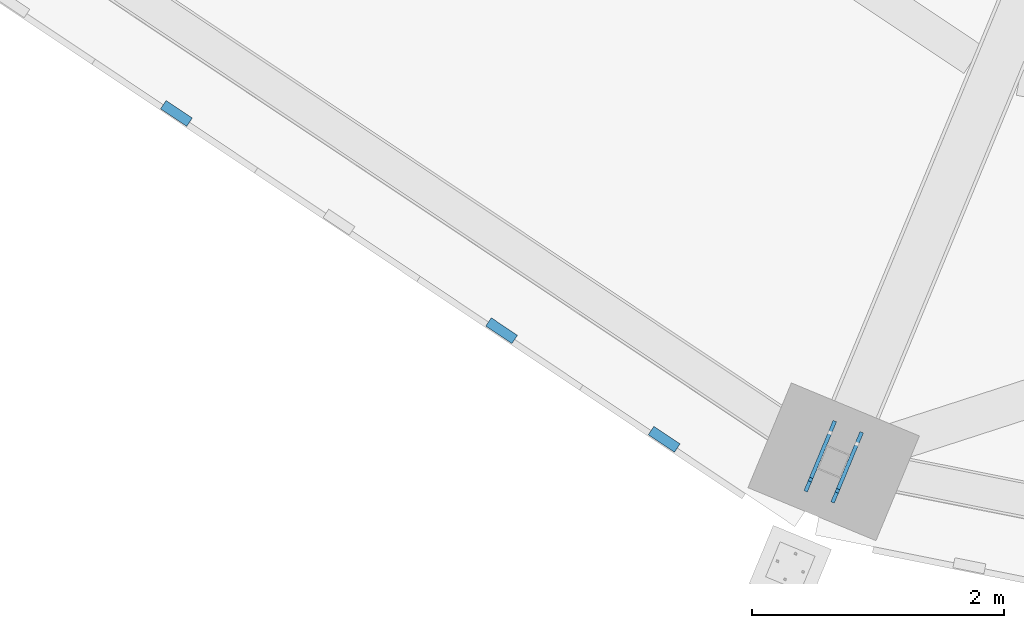
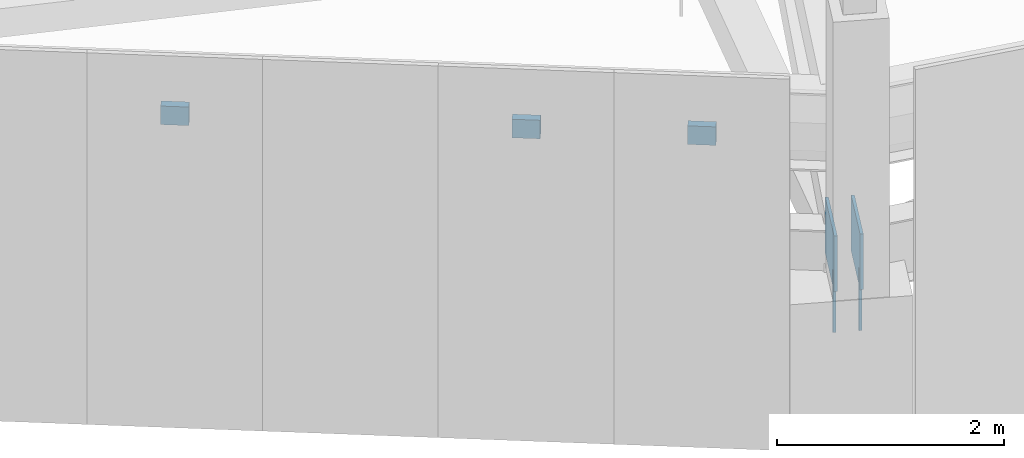
# One storey, part 110 of 278: 5 discrete accessories, 2 mechanical fasteners.
"""IFC4 building model written with IfcOpenShell, lengths in metres."""

from ifc_helpers import new_model, si_unit, direction, frame, origin, origin_2d, place, context, subcontext, project, spatial, rectangle, extrude, material, layer, layer_set, type_object, element, save


model = new_model("IFC4")

# Units and contexts
model_context = context("Model", 3, precision=1e-05, world=origin(), true_north=direction((0.0, 1.0)))
body_context = subcontext(model_context, "Body", "Model", "MODEL_VIEW")
ifc_project = project(units=[si_unit("LENGTHUNIT", "METRE"), si_unit("AREAUNIT", "SQUARE_METRE"), si_unit("VOLUMEUNIT", "CUBIC_METRE"), si_unit("PLANEANGLEUNIT", "RADIAN"), si_unit("MASSUNIT", "GRAM", prefix="KILO")], contexts=[model_context])

# Site, building, storey
site_placement = place(None, origin())
site = spatial("IfcSite", under=ifc_project, at=site_placement, CompositionType="ELEMENT")
building_placement = place(site_placement, origin())
building = spatial("IfcBuilding", under=site, at=building_placement, Name="Ogive Plaza Stadium", CompositionType="ELEMENT")
storey_placement = place(building_placement, frame((0.0, 0.0, 29.0)))
storey = spatial("IfcBuildingStorey", under=building, at=storey_placement, Name="Roof", CompositionType="ELEMENT", Elevation=29.0)

# Mechanical fasteners
ifc_material_1 = material(Name="Steel ASTM A992 Grade 50", Category="steel")
mechanical_fastener_type = type_object("IfcMechanicalFastenerType", Name="Anchor bolt M30 x 600", PredefinedType="ANCHORBOLT", material=ifc_material_1)
for number, where, z_axis, x_axis, name in (
    (1, (-53.1044921875, -98.924560546875, 3.0), (0.0, 0.0, 1.0), (-0.382683432365, -0.923879532511, 0.0), "ANCHOR BOLT 18 BF 1.1"),
    (2, (-53.318115234375, -98.8359375, 3.0), (0.0, 0.0, 1.0), (-0.382683432365, -0.923879532511, 0.0), "ANCHOR BOLT 18 BF 2.1"),
):
    element("IfcMechanicalFastener", number, at=place(storey_placement, frame(where, z_axis=z_axis, x_axis=x_axis)), inside=storey, type_object=mechanical_fastener_type, Name=name, PredefinedType="ANCHORBOLT", context=body_context, shape_type="SweptSolid", body=[
        extrude(rectangle(XDim=0.030029296875, YDim=0.030029296875, at=origin_2d()), origin(), (0.0, 0.0, 1.0), 0.679931640625),
    ])

# Discrete accessories
ifc_material_2 = material(Name="Steel ASTM A572 Grade 50", Category="steel")
ifc_layer_1 = layer(ifc_material_2, 0.080078125)
ifc_layer_set_1 = layer_set([ifc_layer_1], Name="Steel ASTM A572 Grade 50")
discrete_accessory_type_1 = type_object("IfcDiscreteAccessoryType", Name="Tracery screen bracket 250x200", PredefinedType="BRACKET", material=ifc_layer_set_1)
for number, where, z_axis, x_axis, name in (
    (3, (-54.4794921875, -98.515869140625, 5.25), (0.0, 0.0, 1.0), (-0.831469612303, 0.55557023302, 0.0), "TRACERY SCREEN BRACKET B18 1"),
    (4, (-55.770263671875, -97.653564453125, 5.25), (0.0, 0.0, 1.0), (-0.831469612303, 0.55557023302, 0.0), "TRACERY SCREEN BRACKET B18 2"),
    (5, (-58.351318359375, -95.928955078125, 5.25), (0.0, 0.0, 1.0), (-0.831469612303, 0.55557023302, 0.0), "TRACERY SCREEN BRACKET B18 4"),
):
    element("IfcDiscreteAccessory", number, at=place(storey_placement, frame(where, z_axis=z_axis, x_axis=x_axis)), inside=storey, type_object=discrete_accessory_type_1, Name=name, PredefinedType="BRACKET", context=body_context, shape_type="SweptSolid", body=[
        extrude(rectangle(XDim=0.25, YDim=0.080078125, at=origin_2d()), origin(), (0.0, 0.0, 1.0), 0.199951171875),
    ])
ifc_material_3 = material(Name="Steel ASTM A992 Grade 50", Category="steel")
ifc_layer_2 = layer(ifc_material_3, 0.030029296875)
ifc_layer_set_2 = layer_set([ifc_layer_2], Name="Steel ASTM A992 Grade 50")
discrete_accessory_type_2 = type_object("IfcDiscreteAccessoryType", Name="Truss back-stay foot cleat plate 30", PredefinedType="ANCHORPLATE", material=ifc_layer_set_2)
for number, where, z_axis, x_axis, name in (
    (6, (-53.02734375, -98.73828125, 3.5), (0.0, 0.0, 1.0), (-0.382683432365, -0.923879532511, 0.0), "TRUSS BACK-STAY FOOT CLEAT PLATE 18 1"),
    (7, (-53.240966796875, -98.649658203125, 3.5), (0.0, 0.0, 1.0), (-0.382683432365, -0.923879532511, 0.0), "TRUSS BACK-STAY FOOT CLEAT PLATE 18 2"),
):
    element("IfcDiscreteAccessory", number, at=place(storey_placement, frame(where, z_axis=z_axis, x_axis=x_axis)), inside=storey, type_object=discrete_accessory_type_2, Name=name, PredefinedType="ANCHORPLATE", context=body_context, shape_type="SweptSolid", body=[
        extrude(rectangle(XDim=0.603271484375, YDim=0.030029296875, at=origin_2d()), origin(), (0.0, 0.0, 1.0), 0.60009765625),
    ])

save(model, "model.ifc")
